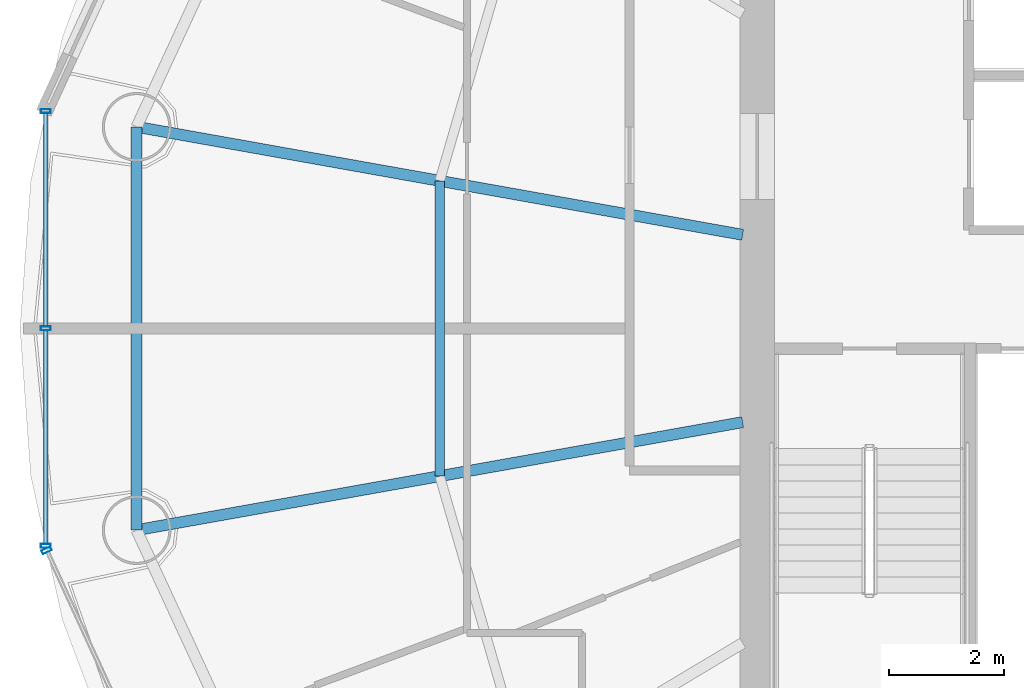
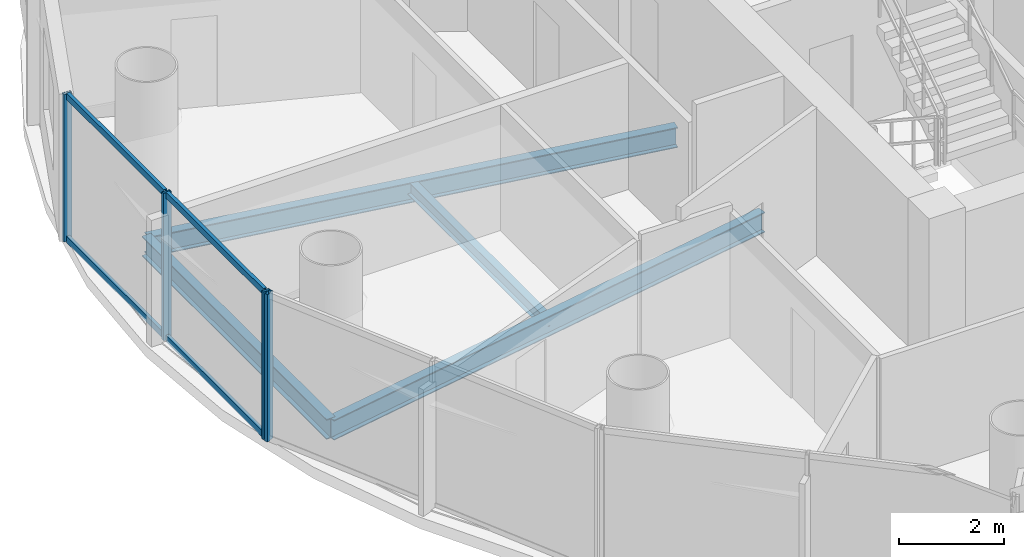
# One storey, part 7 of 26: 8 members, 4 beams, 2 elements without a shape of their own.
"""IFC4 building model written with IfcOpenShell, lengths in metres."""

from ifc_helpers import new_model, si_unit, direction, frame, origin, origin_2d, place, context, subcontext, project, spatial, hollow_rectangle, i_section, extrude, source, transform, mapped, material, material_profile, profile_set, type_object, element, aggregate, save


model = new_model("IFC4")

# Units and contexts
model_context = context("Model", 3, precision=1e-05, world=origin(), true_north=direction((-0.2419218956, 0.970295726276)))
body_context = subcontext(model_context, "Body", "Model", "MODEL_VIEW")
ifc_project = project(units=[si_unit("LENGTHUNIT", "METRE"), si_unit("AREAUNIT", "SQUARE_METRE"), si_unit("VOLUMEUNIT", "CUBIC_METRE"), si_unit("PLANEANGLEUNIT", "RADIAN"), si_unit("MASSUNIT", "GRAM", prefix="KILO")], contexts=[model_context])

# Site, building, storey
site_placement = place(None, origin())
site = spatial("IfcSite", under=ifc_project, at=site_placement, CompositionType="ELEMENT")
building_placement = place(site_placement, origin())
building = spatial("IfcBuilding", under=site, at=building_placement, Name="Cobrevalo Terracotta Tower", CompositionType="ELEMENT")
storey_placement = place(building_placement, frame((0.0, 0.0, 220.800048828125)))
storey = spatial("IfcBuildingStorey", under=building, at=storey_placement, Name="L58", CompositionType="ELEMENT", Elevation=220.800048828125)

# Beams
ifc_material_1 = material(Name="Steel S355", Category="steel")
ifc_material_profile_1 = material_profile(ifc_material_1, i_section(OverallWidth=0.194091796875, OverallDepth=0.468994140625, WebThickness=0.011474609375, FlangeThickness=0.0205078125, at=origin_2d()), Name="W 460x106")
ifc_profile_set_1 = profile_set([ifc_material_profile_1], Name="Steel S355")
beam_type_1 = type_object("IfcBeamType", Name="Structural Beam W 460x106 (Steel S355)", PredefinedType="BEAM", material=ifc_profile_set_1)
for number, where, z_axis, x_axis, name in (
    (1, (18.237060546875, 30.3212890625, -0.49951171875), (0.98449712063, -0.175400739656, 0.0), (0.175400739656, 0.98449712063, 0.0), "L58 radial floor girder 08"),
    (2, (18.237060546875, 23.278564453125, -0.49951171875), (0.984493198547, 0.175422752274, 0.0), (-0.175422752274, 0.984493198547, 0.0), "L58 radial floor girder 09"),
):
    element("IfcBeam", number, at=place(storey_placement, frame(where, z_axis=z_axis, x_axis=x_axis)), inside=storey, type_object=beam_type_1, Name=name, PredefinedType="BEAM", context=body_context, shape_type="SweptSolid", body=[
        extrude(i_section(OverallWidth=0.194091796875, OverallDepth=0.468994140625, WebThickness=0.011474609375, FlangeThickness=0.0205078125, at=origin_2d()), origin(), (0.0, 0.0, 1.0), 10.749755859375),
    ])
ifc_material_profile_2 = material_profile(ifc_material_1, i_section(OverallWidth=0.1650390625, OverallDepth=0.31005859375, WebThickness=0.005859375, FlangeThickness=0.009765625, at=origin_2d()), Name="W 310x38.7")
ifc_profile_set_2 = profile_set([ifc_material_profile_2], Name="Steel S355")
beam_type_2 = type_object("IfcBeamType", Name="Structural Joist W 310x38.7 (Steel S355)", PredefinedType="JOIST", material=ifc_profile_set_2)
beam_1_placement = place(storey_placement, frame((23.528564453125, 29.378662109375, -0.420166015625), z_axis=(0.0, -1.0, 0.0), x_axis=(1.0, 0.0, 0.0)))
element("IfcBeam", 3, at=beam_1_placement, inside=storey, type_object=beam_type_2, Name="L58 circumferential secondary floor joist 08", PredefinedType="JOIST", context=body_context, shape_type="SweptSolid", body=[
    extrude(i_section(OverallWidth=0.1650390625, OverallDepth=0.31005859375, WebThickness=0.005859375, FlangeThickness=0.009765625, at=origin_2d()), origin(), (0.0, 0.0, 1.0), 5.1572265625),
])
ifc_material_profile_3 = material_profile(ifc_material_1, i_section(OverallWidth=0.194091796875, OverallDepth=0.468994140625, WebThickness=0.011474609375, FlangeThickness=0.0205078125, at=origin_2d()), Name="W 460x106")
ifc_profile_set_3 = profile_set([ifc_material_profile_3], Name="Steel S355")
beam_type_3 = type_object("IfcBeamType", Name="Structural Spandrel W 460x106 (Steel S355)", PredefinedType="SPANDREL", material=ifc_profile_set_3)
beam_2_placement = place(storey_placement, frame((18.237060546875, 30.3212890625, -0.49951171875), z_axis=(0.0, -1.0, 0.0), x_axis=(1.0, 0.0, 0.0)))
element("IfcBeam", 4, at=beam_2_placement, inside=storey, type_object=beam_type_3, Name="L58 perimeter ring spandrel 08", PredefinedType="SPANDREL", context=body_context, shape_type="SweptSolid", body=[
    extrude(i_section(OverallWidth=0.194091796875, OverallDepth=0.468994140625, WebThickness=0.011474609375, FlangeThickness=0.0205078125, at=origin_2d()), origin(), (0.0, 0.0, 1.0), 7.042724609375),
])

# Curtain wall, members
ifc_material_2 = material(Name="Anodized aluminium", Category="aluminium")
curtain_wall_type = type_object("IfcCurtainWallType", Name="Mid-tower high-wind unitised curtain wall CW-U2", PredefinedType="NOTDEFINED", material=ifc_material_2)
curtain_wall_1_placement = place(storey_placement, origin())
curtain_wall_1 = element("IfcCurtainWall", 5, at=curtain_wall_1_placement, inside=storey, type_object=curtain_wall_type, Name="L58 curtain wall CW-L58-S08", PredefinedType="NOTDEFINED")
ifc_material_profile_4 = material_profile(ifc_material_2, hollow_rectangle(XDim=0.074951171875, YDim=0.14990234375, WallThickness=0.00439453125, at=origin_2d()), Name="CWT 75x150")
ifc_profile_set_4 = profile_set([ifc_material_profile_4], Name="Anodized aluminium")
member_type_1 = type_object("IfcMemberType", Name="Tower unitised aluminium transom 75x150", PredefinedType="USERDEFINED", material=ifc_profile_set_4)
shared_shape_1 = source(origin(), body_context, "Body", "SweptSolid", [
    extrude(hollow_rectangle(XDim=0.074951171875, YDim=0.14990234375, WallThickness=0.00439453125, at=origin_2d()), origin(), (0.0, 0.0, 1.0), 3.71728515625),
])
member_1_placement = place(storey_placement, frame((16.648193359375, 30.557373046875, 0.050048828125), z_axis=(0.0, -1.0, 0.0), x_axis=(1.0, 0.0, 0.0)))
member_1 = element("IfcMember", 6, at=member_1_placement, type_object=member_type_1, Name="CW-L58-S08 transom B01-T1", ObjectType="TRANSOM", PredefinedType="USERDEFINED", context=body_context, shape_type="MappedRepresentation", body=[
    mapped(shared_shape_1, transform((0.0, 0.0, 0.0), scale=1.0)),
])
member_2_placement = place(storey_placement, frame((16.648193359375, 30.557373046875, 3.385009765625), z_axis=(0.0, -1.0, 0.0), x_axis=(1.0, 0.0, 0.0)))
member_2 = element("IfcMember", 7, at=member_2_placement, type_object=member_type_1, Name="CW-L58-S08 transom B01-T2", ObjectType="TRANSOM", PredefinedType="USERDEFINED", context=body_context, shape_type="MappedRepresentation", body=[
    mapped(shared_shape_1, transform((0.0, 0.0, 0.0), scale=1.0)),
])
shared_shape_2 = source(origin(), body_context, "Body", "SweptSolid", [
    extrude(hollow_rectangle(XDim=0.074951171875, YDim=0.14990234375, WallThickness=0.00439453125, at=origin_2d()), origin(), (0.0, 0.0, 1.0), 3.717529296875),
])
member_3_placement = place(storey_placement, frame((16.648193359375, 26.760009765625, 0.050048828125), z_axis=(0.0, -1.0, 0.0), x_axis=(1.0, 0.0, 0.0)))
member_3 = element("IfcMember", 8, at=member_3_placement, type_object=member_type_1, Name="CW-L58-S08 transom B02-T1", ObjectType="TRANSOM", PredefinedType="USERDEFINED", context=body_context, shape_type="MappedRepresentation", body=[
    mapped(shared_shape_2, transform((0.0, 0.0, 0.0), scale=1.0)),
])
member_4_placement = place(storey_placement, frame((16.648193359375, 26.760009765625, 3.385009765625), z_axis=(0.0, -1.0, 0.0), x_axis=(1.0, 0.0, 0.0)))
member_4 = element("IfcMember", 9, at=member_4_placement, type_object=member_type_1, Name="CW-L58-S08 transom B02-T2", ObjectType="TRANSOM", PredefinedType="USERDEFINED", context=body_context, shape_type="MappedRepresentation", body=[
    mapped(shared_shape_2, transform((0.0, 0.0, 0.0), scale=1.0)),
])
ifc_material_profile_5 = material_profile(ifc_material_2, hollow_rectangle(XDim=0.070068359375, YDim=0.169921875, WallThickness=0.00439453125, at=origin_2d()), Name="CWM 70x170")
ifc_profile_set_5 = profile_set([ifc_material_profile_5], Name="Anodized aluminium")
member_type_2 = type_object("IfcMemberType", Name="Upper tower unitised mullion 70x170", PredefinedType="MULLION", material=ifc_profile_set_5)
shared_shape_3 = source(origin(), body_context, "Body", "SweptSolid", [
    extrude(hollow_rectangle(XDim=0.070068359375, YDim=0.169921875, WallThickness=0.00439453125, at=origin_2d()), origin(), (0.0, 0.0, 1.0), 3.43505859375),
])
member_5_placement = place(storey_placement, frame((16.648193359375, 30.597412109375, 0.0), z_axis=(0.0, 0.0, 1.0), x_axis=(0.0, -1.0, 0.0)))
member_5 = element("IfcMember", 10, at=member_5_placement, type_object=member_type_2, Name="CW-L58-S08 vertical mullion 01", PredefinedType="MULLION", context=body_context, shape_type="MappedRepresentation", body=[
    mapped(shared_shape_3, transform((0.0, 0.0, 0.0), scale=1.0)),
])
member_6_placement = place(storey_placement, frame((16.648193359375, 26.800048828125, 0.0), z_axis=(0.0, 0.0, 1.0), x_axis=(0.0, -1.0, 0.0)))
member_6 = element("IfcMember", 11, at=member_6_placement, type_object=member_type_2, Name="CW-L58-S08 vertical mullion 02", PredefinedType="MULLION", context=body_context, shape_type="MappedRepresentation", body=[
    mapped(shared_shape_3, transform((0.0, 0.0, 0.0), scale=1.0)),
])
member_7_placement = place(storey_placement, frame((16.648193359375, 23.002685546875, 0.0), z_axis=(0.0, 0.0, 1.0), x_axis=(0.0, -1.0, 0.0)))
member_7 = element("IfcMember", 12, at=member_7_placement, type_object=member_type_2, Name="CW-L58-S08 vertical mullion 03", PredefinedType="MULLION", context=body_context, shape_type="MappedRepresentation", body=[
    mapped(shared_shape_3, transform((0.0, 0.0, 0.0), scale=1.0)),
])
aggregate(curtain_wall_1, [member_5, member_6, member_7, member_1, member_2, member_3, member_4])

# Curtain wall, member
curtain_wall_2_placement = place(storey_placement, origin())
curtain_wall_2 = element("IfcCurtainWall", 13, at=curtain_wall_2_placement, inside=storey, type_object=curtain_wall_type, Name="L58 curtain wall CW-L58-S09", PredefinedType="NOTDEFINED")
member_8_placement = place(storey_placement, frame((16.6650390625, 22.92626953125, 0.0), z_axis=(0.0, 0.0, 1.0), x_axis=(0.41672507912, -0.909032567311, 0.0)))
member_8 = element("IfcMember", 14, at=member_8_placement, type_object=member_type_2, Name="CW-L58-S09 vertical mullion 01", PredefinedType="MULLION", context=body_context, shape_type="MappedRepresentation", body=[
    mapped(shared_shape_3, transform((0.0, 0.0, 0.0), scale=1.0)),
])
aggregate(curtain_wall_2, [member_8])

save(model, "model.ifc")
